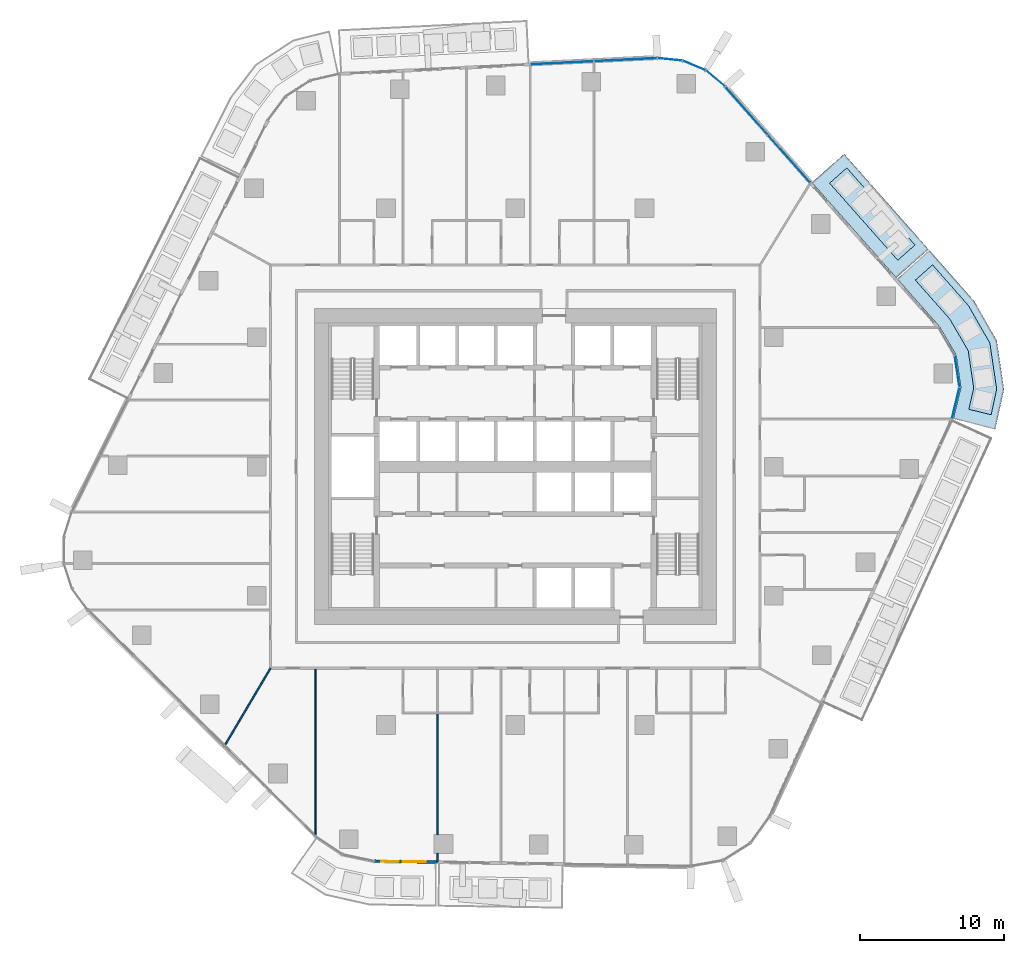
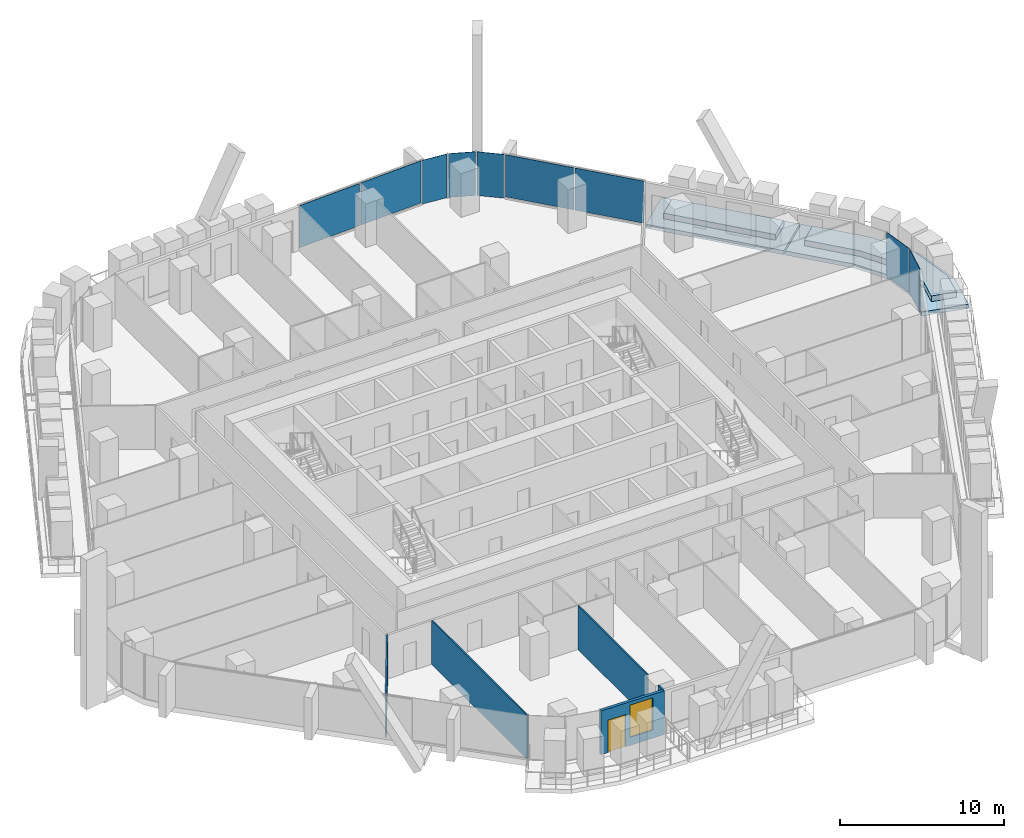
# One storey, part 12 of 26: 9 plates, 5 walls, 4 slabs, 1 door, 1 window, 2 openings, 4 elements without a shape of their own.
"""IFC4 building model written with IfcOpenShell, lengths in metres."""

from ifc_helpers import new_model, si_unit, direction, frame, frame_2d, origin, origin_2d, place, context, subcontext, project, spatial, polyline, rectangle, outline, extrude, material, layer, layer_set, type_object, element, fill, aggregate, save


model = new_model("IFC4")

# Units and contexts
model_context = context("Model", 3, precision=1e-05, world=origin(), true_north=direction((0.0, 1.0)))
body_context = subcontext(model_context, "Body", "Model", "MODEL_VIEW")
ifc_project = project(units=[si_unit("LENGTHUNIT", "METRE"), si_unit("AREAUNIT", "SQUARE_METRE"), si_unit("VOLUMEUNIT", "CUBIC_METRE"), si_unit("PLANEANGLEUNIT", "RADIAN"), si_unit("MASSUNIT", "GRAM", prefix="KILO")], contexts=[model_context])

# Site, building, storey
site_placement = place(None, origin())
site = spatial("IfcSite", under=ifc_project, at=site_placement, CompositionType="ELEMENT")
building_placement = place(site_placement, origin())
building = spatial("IfcBuilding", under=site, at=building_placement, Name="Dongbaek Canopy Tower", CompositionType="ELEMENT")
storey_placement = place(building_placement, frame((0.0, 0.0, 95.199951171875)))
storey = spatial("IfcBuildingStorey", under=building, at=storey_placement, Name="L19", CompositionType="ELEMENT", Elevation=95.199951171875)

# Slabs
ifc_material_1 = material(Name="Concrete C40/50", Category="concrete")
ifc_layer_1 = layer(ifc_material_1, 0.300048828125)
ifc_layer_set_1 = layer_set([ifc_layer_1], Name="Balcony slab 300")
slab_type_1 = type_object("IfcSlabType", Name="Balcony slab 300", PredefinedType="FLOOR", material=ifc_layer_set_1)
slab_1_placement = place(storey_placement, frame((0.0, 0.0, -0.300048828125)))
element("IfcSlab", 1, at=slab_1_placement, inside=storey, type_object=slab_type_1, Name="Balcony L19 1", PredefinedType="FLOOR", context=body_context, shape_type="SweptSolid", body=[
    extrude(outline(polyline([(26.536865234375, 13.150146484375), (20.661376953125, 19.787109375), (22.907470703125, 21.775634765625), (28.783203125, 15.138671875), (26.536865234375, 13.150146484375)])), origin(), (0.0, 0.0, 1.0), 0.300048828125),
])
slab_2_placement = place(storey_placement, frame((0.0, 0.0, -0.300048828125)))
element("IfcSlab", 2, at=slab_2_placement, inside=storey, type_object=slab_type_1, Name="Balcony L19 6", PredefinedType="FLOOR", context=body_context, shape_type="SweptSolid", body=[
    extrude(outline(polyline([(30.51318359375, 3.32568359375), (31.042236328125, 5.508056640625), (30.70556640625, 7.77880859375), (29.541015625, 9.7568359375), (26.603271484375, 13.075439453125), (28.849365234375, 15.06396484375), (31.9677734375, 11.5205078125), (33.5341796875, 8.7783203125), (34.039306640625, 5.3720703125), (33.428955078125, 2.618896484375), (30.51318359375, 3.32568359375)])), origin(), (0.0, 0.0, 1.0), 0.300048828125),
])

# Curtain wall, plates
ifc_material_2 = material(Name="Aluminium 6063-T6 pale anodised", Category="aluminium")
ifc_layer_2 = layer(ifc_material_2, 0.199951171875)
ifc_layer_set_2 = layer_set([ifc_layer_2], Name="CW-1 unitised tower curtain wall")
curtain_wall_type = type_object("IfcCurtainWallType", Name="CW-1 unitised tower curtain wall", PredefinedType="NOTDEFINED", material=ifc_layer_set_2)
curtain_wall_1_placement = place(storey_placement, origin())
curtain_wall_1 = element("IfcCurtainWall", 3, at=curtain_wall_1_placement, inside=storey, type_object=curtain_wall_type, Name="CW-1 curtain wall K0.1", PredefinedType="NOTDEFINED")
ifc_material_3 = material(Name="Clear laminated glass", Category="glass")
ifc_layer_3 = layer(ifc_material_3, 0.028076171875)
ifc_layer_set_3 = layer_set([ifc_layer_3], Name="CW-1 glazed panel 28")
plate_type = type_object("IfcPlateType", Name="CW-1 glazed panel 28", PredefinedType="CURTAIN_PANEL", material=ifc_layer_set_3)
plate_1_placement = place(storey_placement, frame((30.673583984375, 4.411376953125, 0.0), z_axis=(0.0, 0.0, 1.0), x_axis=(0.235561839809, 0.971859362061, 0.0)))
plate_1 = element("IfcPlate", 4, at=plate_1_placement, type_object=plate_type, Name="CW-1 panel K0.1.1.1", PredefinedType="CURTAIN_PANEL", context=body_context, shape_type="SweptSolid", body=[
    extrude(rectangle(XDim=2.182373046875, YDim=0.028076171875, at=origin_2d()), origin(), (0.0, 0.0, 1.0), 3.25),
])
plate_2_placement = place(storey_placement, frame((30.775146484375, 6.628662109375, 0.0), z_axis=(0.0, 0.0, 1.0), x_axis=(-0.146640884737, 0.989189795198, 0.0)))
plate_2 = element("IfcPlate", 5, at=plate_2_placement, type_object=plate_type, Name="CW-1 panel K0.1.2.1", PredefinedType="CURTAIN_PANEL", context=body_context, shape_type="SweptSolid", body=[
    extrude(rectangle(XDim=2.172607421875, YDim=0.028076171875, at=origin_2d()), origin(), (0.0, 0.0, 1.0), 3.25),
])
aggregate(curtain_wall_1, [plate_1, plate_2])

curtain_wall_2_placement = place(storey_placement, origin())
curtain_wall_2 = element("IfcCurtainWall", 6, at=curtain_wall_2_placement, inside=storey, type_object=curtain_wall_type, Name="CW-1 curtain wall F0.1", PredefinedType="NOTDEFINED")
plate_3_placement = place(storey_placement, frame((19.06787109375, 21.436279296875, 0.1201171875), z_axis=(0.0, 0.0, 1.0), x_axis=(-0.662853899547, 0.748748761505, 0.0)))
plate_3 = element("IfcPlate", 7, at=plate_3_placement, type_object=plate_type, Name="CW-1 panel F0.1.1.1", PredefinedType="CURTAIN_PANEL", context=body_context, shape_type="SweptSolid", body=[
    extrude(rectangle(XDim=4.39794921875, YDim=0.028076171875, at=origin_2d()), origin(), (0.0, 0.0, 1.0), 3.1298828125),
])
plate_4_placement = place(storey_placement, frame((16.099365234375, 24.789306640625, 0.1201171875), z_axis=(0.0, 0.0, 1.0), x_axis=(-0.662853899547, 0.748748761505, 0.0)))
plate_4 = element("IfcPlate", 8, at=plate_4_placement, type_object=plate_type, Name="CW-1 panel F0.1.2.1", PredefinedType="CURTAIN_PANEL", context=body_context, shape_type="SweptSolid", body=[
    extrude(rectangle(XDim=4.390625, YDim=0.028076171875, at=origin_2d()), origin(), (0.0, 0.0, 1.0), 3.1298828125),
])
aggregate(curtain_wall_2, [plate_3, plate_4])

curtain_wall_3_placement = place(storey_placement, origin())
curtain_wall_3 = element("IfcCurtainWall", 9, at=curtain_wall_3_placement, inside=storey, type_object=curtain_wall_type, Name="CW-1 curtain wall K1.1", PredefinedType="NOTDEFINED")
plate_5_placement = place(storey_placement, frame((13.940673828125, 27.030029296875, 0.0), z_axis=(0.0, 0.0, 1.0), x_axis=(-0.76684589124, 0.641831269952, 0.0)))
plate_5 = element("IfcPlate", 10, at=plate_5_placement, type_object=plate_type, Name="CW-1 panel K1.1.1.1", PredefinedType="CURTAIN_PANEL", context=body_context, shape_type="SweptSolid", body=[
    extrude(rectangle(XDim=1.67822265625, YDim=0.028076171875, at=origin_2d()), origin(), (0.0, 0.0, 1.0), 3.25),
])
plate_6_placement = place(storey_placement, frame((12.456298828125, 27.935791015625, 0.0), z_axis=(0.0, 0.0, 1.0), x_axis=(-0.9217189561, 0.38785843547, 0.0)))
plate_6 = element("IfcPlate", 11, at=plate_6_placement, type_object=plate_type, Name="CW-1 panel K1.1.2.1", PredefinedType="CURTAIN_PANEL", context=body_context, shape_type="SweptSolid", body=[
    extrude(rectangle(XDim=1.670654296875, YDim=0.028076171875, at=origin_2d()), origin(), (0.0, 0.0, 1.0), 3.25),
])
plate_7_placement = place(storey_placement, frame((10.77099609375, 28.36376953125, 0.0), z_axis=(0.0, 0.0, 1.0), x_axis=(-0.995031076678, 0.099564835385, 0.0)))
plate_7 = element("IfcPlate", 12, at=plate_7_placement, type_object=plate_type, Name="CW-1 panel K1.1.3.1", PredefinedType="CURTAIN_PANEL", context=body_context, shape_type="SweptSolid", body=[
    extrude(rectangle(XDim=1.67822265625, YDim=0.028076171875, at=origin_2d()), origin(), (0.0, 0.0, 1.0), 3.25),
])
aggregate(curtain_wall_3, [plate_5, plate_6, plate_7])

curtain_wall_4_placement = place(storey_placement, origin())
curtain_wall_4 = element("IfcCurtainWall", 13, at=curtain_wall_4_placement, inside=storey, type_object=curtain_wall_type, Name="CW-1 curtain wall F1.1", PredefinedType="NOTDEFINED")
plate_8_placement = place(storey_placement, frame((7.68310546875, 28.342041015625, 0.1201171875), z_axis=(0.0, 0.0, 1.0), x_axis=(-0.998772234165, -0.049538109177, 0.0)))
plate_8 = element("IfcPlate", 14, at=plate_8_placement, type_object=plate_type, Name="CW-1 panel F1.1.1.1", PredefinedType="CURTAIN_PANEL", context=body_context, shape_type="SweptSolid", body=[
    extrude(rectangle(XDim=4.34375, YDim=0.028076171875, at=origin_2d()), origin(), (0.0, 0.0, 1.0), 3.1298828125),
])
plate_9_placement = place(storey_placement, frame((3.257080078125, 28.122314453125, 0.1201171875), z_axis=(0.0, 0.0, 1.0), x_axis=(-0.998772234165, -0.049538109177, 0.0)))
plate_9 = element("IfcPlate", 15, at=plate_9_placement, type_object=plate_type, Name="CW-1 panel F1.1.2.1", PredefinedType="CURTAIN_PANEL", context=body_context, shape_type="SweptSolid", body=[
    extrude(rectangle(XDim=4.35107421875, YDim=0.028076171875, at=origin_2d()), origin(), (0.0, 0.0, 1.0), 3.1298828125),
])
aggregate(curtain_wall_4, [plate_8, plate_9])

# Slabs
ifc_material_4 = material(Name="Reinforced concrete C40/50 planter box with soil", Category="concrete")
ifc_layer_4 = layer(ifc_material_4, 0.419921875)
ifc_layer_set_4 = layer_set([ifc_layer_4], Name="Terrace planter box 1600 x 420")
slab_type_2 = type_object("IfcSlabType", Name="Terrace planter box 1600 x 420", PredefinedType="USERDEFINED", material=ifc_layer_set_4)
slab_3_placement = place(storey_placement, origin())
element("IfcSlab", 16, at=slab_3_placement, inside=storey, type_object=slab_type_2, Name="Balcony planter L19 1", ObjectType="PLANTER", PredefinedType="USERDEFINED", context=body_context, shape_type="SweptSolid", body=[
    extrude(outline(polyline([(26.639892578125, 14.376708984375), (21.89111328125, 19.74072265625), (23.089111328125, 20.80126953125), (27.837890625, 15.437255859375), (26.639892578125, 14.376708984375)])), origin(), (0.0, 0.0, 1.0), 0.420166015625),
])
slab_4_placement = place(storey_placement, origin())
element("IfcSlab", 17, at=slab_4_placement, inside=storey, type_object=slab_type_2, Name="Balcony planter L19 6", ObjectType="PLANTER", PredefinedType="USERDEFINED", context=body_context, shape_type="SweptSolid", body=[
    extrude(outline(polyline([(31.59033203125, 3.99072265625), (31.931396484375, 5.4677734375), (31.544677734375, 8.0751953125), (30.260986328125, 10.280029296875), (27.8662109375, 12.991455078125), (29.064208984375, 14.052001953125), (31.55517578125, 11.220703125), (33.053466796875, 8.6083984375), (33.52978515625, 5.395263671875), (33.145263671875, 3.61376953125), (31.59033203125, 3.99072265625)])), origin(), (0.0, 0.0, 1.0), 0.420166015625),
])

# Walls
ifc_material_5 = material(Name="Gypsum board partition, steel stud, 2 x 12.5 mm board", Category="steel")
ifc_layer_5 = layer(ifc_material_5, 0.10009765625)
ifc_layer_set_5 = layer_set([ifc_layer_5], Name="Partition 100 gypsum board")
wall_type_1 = type_object("IfcWallType", Name="Partition 100 gypsum board", PredefinedType="PARTITIONING", material=ifc_layer_set_5)
wall_1_placement = place(storey_placement, frame((-20.24609375, -19.436279296875, 0.0), z_axis=(0.0, 0.0, 1.0), x_axis=(0.510253226363, 0.86002421186, 0.0)))
element("IfcWall", 18, at=wall_1_placement, inside=storey, type_object=wall_type_1, Name="Partition", PredefinedType="PARTITIONING", context=body_context, shape_type="SweptSolid", body=[
    extrude(rectangle(XDim=6.26318359375, YDim=0.10009765625, at=frame_2d((3.131591796875, 0.0))), origin(), (0.0, 0.0, 1.0), 3.25),
])
wall_2_placement = place(storey_placement, frame((-5.424072265625, -27.52880859375, 0.0), z_axis=(0.0, 0.0, 1.0), x_axis=(0.0, 1.0, 0.0)))
element("IfcWall", 19, at=wall_2_placement, inside=storey, type_object=wall_type_1, Name="Partition", PredefinedType="PARTITIONING", context=body_context, shape_type="SweptSolid", body=[
    extrude(rectangle(XDim=0.5888671875, YDim=0.10009765625, at=frame_2d((0.29443359375, 0.0))), origin(), (0.0, 0.0, 1.0), 3.25),
])
wall_3_placement = place(storey_placement, frame((-5.424072265625, -25.639892578125, 0.0), z_axis=(0.0, 0.0, 1.0), x_axis=(0.0, 1.0, 0.0)))
element("IfcWall", 20, at=wall_3_placement, inside=storey, type_object=wall_type_1, Name="Partition", PredefinedType="PARTITIONING", context=body_context, shape_type="SweptSolid", body=[
    extrude(rectangle(XDim=8.43994140625, YDim=0.10009765625, at=frame_2d((4.219970703125, 0.0))), origin(), (0.0, 0.0, 1.0), 3.25),
])
wall_4_placement = place(storey_placement, frame((-13.916015625, -25.72998046875, 0.0), z_axis=(0.0, 0.0, 1.0), x_axis=(0.0, 1.0, 0.0)))
element("IfcWall", 21, at=wall_4_placement, inside=storey, type_object=wall_type_1, Name="Partition", PredefinedType="PARTITIONING", context=body_context, shape_type="SweptSolid", body=[
    extrude(rectangle(XDim=11.60498046875, YDim=0.10009765625, at=frame_2d((5.802490234375, 0.0))), origin(), (0.0, 0.0, 1.0), 3.25),
])

# Wall, openings, door, window
ifc_material_6 = material(Name="Aluminium window wall", Category="aluminium")
ifc_layer_6 = layer(ifc_material_6, 0.199951171875)
ifc_layer_set_6 = layer_set([ifc_layer_6], Name="Window wall 200")
wall_type_2 = type_object("IfcWallType", Name="Window wall 200", PredefinedType="SOLIDWALL", material=ifc_layer_set_6)
wall_5_placement = place(storey_placement, frame((-9.830810546875, -27.48095703125, 0.0), z_axis=(0.0, 0.0, 1.0), x_axis=(0.99988144177, -0.015398129892, 0.0)))
wall_5 = element("IfcWall", 22, at=wall_5_placement, inside=storey, type_object=wall_type_2, Name="Window wall L19 8", PredefinedType="SOLIDWALL", context=body_context, shape_type="SweptSolid", body=[
    extrude(rectangle(XDim=4.40771484375, YDim=0.199951171875, at=frame_2d((2.203857421875, 0.0))), origin(), (0.0, 0.0, 1.0), 3.25),
])
opening_1_placement = place(wall_5_placement, frame((2.0, 0.0, 0.60009765625)))
opening_1 = element("IfcOpeningElement", 23, at=opening_1_placement, cuts=wall_5, Name="Opening W1", PredefinedType="OPENING", context=body_context, shape_type="SweptSolid", body=[
    extrude(rectangle(XDim=1.60009765625, YDim=2.39990234375, at=frame_2d((0.800048828125, 1.199951171875))), frame((0.0, 0.10986328125, 0.0), z_axis=(0.0, -1.0, 0.0), x_axis=(1.0, 0.0, 0.0)), (0.0, 0.0, 1.0), 0.219970703125),
])
opening_2_placement = place(wall_5_placement, frame((0.5, 0.0, 0.0)))
opening_2 = element("IfcOpeningElement", 24, at=opening_2_placement, cuts=wall_5, Name="Opening L19-B14", PredefinedType="OPENING", context=body_context, shape_type="SweptSolid", body=[
    extrude(rectangle(XDim=1.199951171875, YDim=2.39990234375, at=frame_2d((0.60009765625, 1.199951171875))), frame((0.0, 0.10986328125, 0.0), z_axis=(0.0, -1.0, 0.0), x_axis=(1.0, 0.0, 0.0)), (0.0, 0.0, 1.0), 0.219970703125),
])
ifc_material_7 = material(Name="Clear glazing in aluminium frame", Category="aluminium")
door_type = type_object("IfcDoorType", Name="Balcony door BD1 1200 x 2400", OperationType="SLIDING_TO_LEFT", PredefinedType="DOOR", material=ifc_material_7)
door_placement = place(opening_2_placement, origin())
door = element("IfcDoor", 25, at=door_placement, inside=storey, type_object=door_type, Name="Balcony door L19-B14", OperationType="SLIDING_TO_LEFT", OverallHeight=2.39990234375, OverallWidth=1.199951171875, PredefinedType="DOOR", context=body_context, shape_type="SweptSolid", body=[
    extrude(rectangle(XDim=1.199951171875, YDim=2.39990234375, at=frame_2d((0.60009765625, 1.199951171875))), frame((0.0, 0.02490234375, 0.0), z_axis=(0.0, -1.0, 0.0), x_axis=(1.0, 0.0, 0.0)), (0.0, 0.0, 1.0), 0.050048828125),
])
fill(opening_2, door)
ifc_material_8 = material(Name="Clear glazing in aluminium frame", Category="aluminium")
window_type = type_object("IfcWindowType", Name="Window W1 1600 x 2400", PartitioningType="SINGLE_PANEL", PredefinedType="WINDOW", material=ifc_material_8)
window_placement = place(opening_1_placement, origin())
window = element("IfcWindow", 26, at=window_placement, inside=storey, type_object=window_type, Name="Window L19 8.1", OverallHeight=2.39990234375, OverallWidth=1.60009765625, PartitioningType="SINGLE_PANEL", PredefinedType="WINDOW", context=body_context, shape_type="SweptSolid", body=[
    extrude(rectangle(XDim=1.60009765625, YDim=2.39990234375, at=frame_2d((0.800048828125, 1.199951171875))), frame((0.0, 0.030029296875, 0.0), z_axis=(0.0, -1.0, 0.0), x_axis=(1.0, 0.0, 0.0)), (0.0, 0.0, 1.0), 0.06005859375),
])
fill(opening_1, window)

save(model, "model.ifc")
